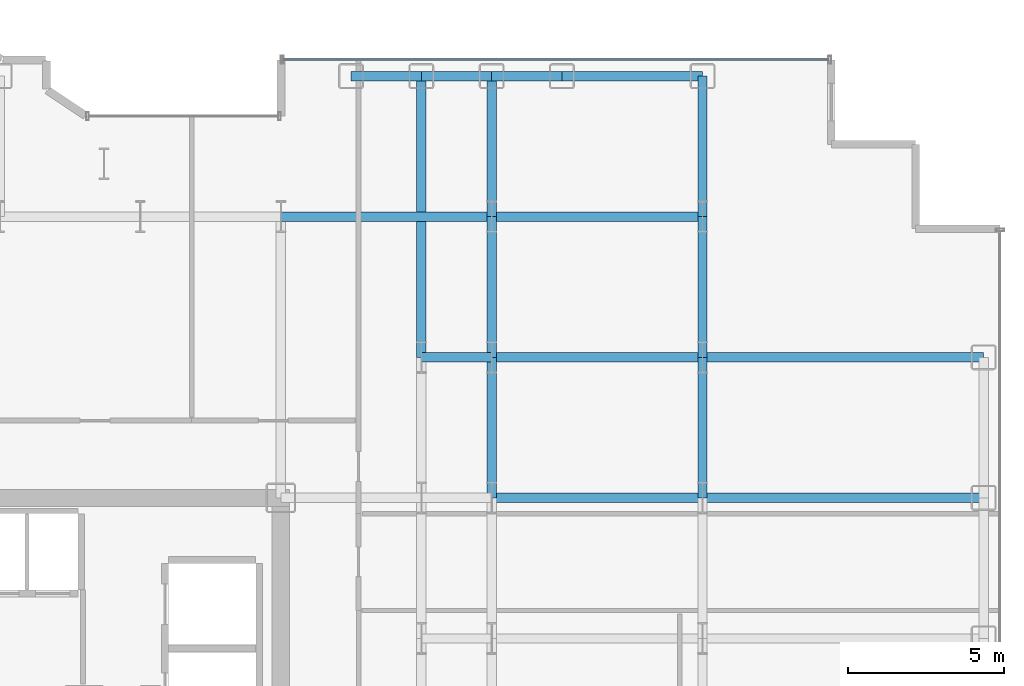
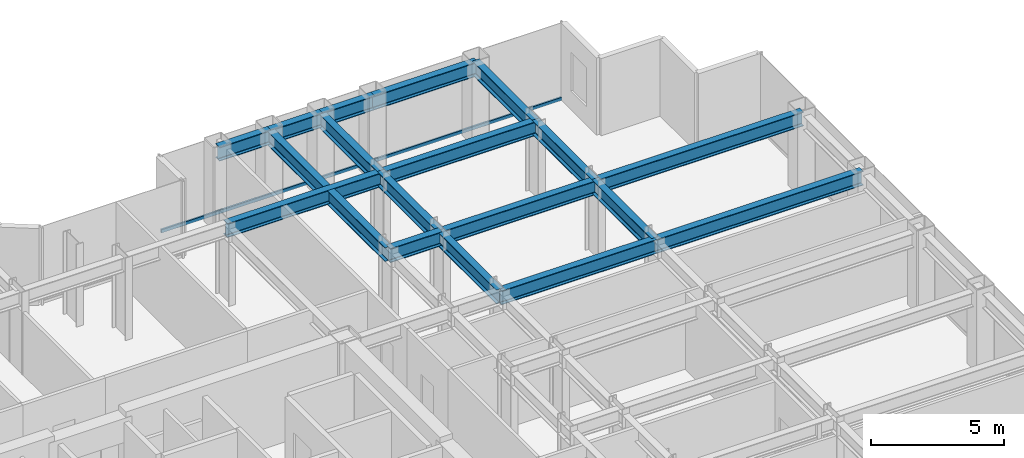
# One storey, part 13 of 26: 18 beams, 1 member, 1 element without a shape of its own.
"""IFC4 building model written with IfcOpenShell, lengths in metres."""

from ifc_helpers import new_model, si_unit, direction, frame, origin, origin_2d, place, context, subcontext, project, spatial, hollow_rectangle, i_section, extrude, source, transform, mapped, material, layer, layer_set, material_profile, profile_set, type_object, element, aggregate, save


model = new_model("IFC4")

# Units and contexts
model_context = context("Model", 3, precision=1e-05, world=origin(), true_north=direction((0.0, 1.0)))
body_context = subcontext(model_context, "Body", "Model", "MODEL_VIEW")
ifc_project = project(units=[si_unit("LENGTHUNIT", "METRE"), si_unit("AREAUNIT", "SQUARE_METRE"), si_unit("VOLUMEUNIT", "CUBIC_METRE"), si_unit("PLANEANGLEUNIT", "RADIAN"), si_unit("MASSUNIT", "GRAM", prefix="KILO")], contexts=[model_context])

# Site, building, storey
site_placement = place(None, origin())
site = spatial("IfcSite", under=ifc_project, at=site_placement, CompositionType="ELEMENT")
building_placement = place(site_placement, origin())
building = spatial("IfcBuilding", under=site, at=building_placement, Name="Nefas-Gora Pilgrimage Tower", CompositionType="ELEMENT")
storey_placement = place(building_placement, frame((0.0, 0.0, 128.800048828125)))
storey = spatial("IfcBuildingStorey", under=building, at=storey_placement, Name="L31", CompositionType="ELEMENT", Elevation=128.800048828125)

# Beams
ifc_material_1 = material(Name="Steel S355", Category="steel")
ifc_material_profile_1 = material_profile(ifc_material_1, i_section(OverallWidth=0.300048828125, OverallDepth=0.64990234375, WebThickness=0.01611328125, FlangeThickness=0.031005859375, FilletRadius=0.027099609375, at=origin_2d()), Name="HEB 650")
ifc_profile_set_1 = profile_set([ifc_material_profile_1], Name="Steel S355")
beam_type_1 = type_object("IfcBeamType", Name="BM-SPN-HEB500", PredefinedType="SPANDREL", material=ifc_profile_set_1)
shared_shape_1 = source(origin(), body_context, "Body", "SweptSolid", [
    extrude(i_section(OverallWidth=0.300048828125, OverallDepth=0.64990234375, WebThickness=0.01611328125, FlangeThickness=0.031005859375, FilletRadius=0.027099609375, at=origin_2d()), origin(), (0.0, 0.0, 1.0), 4.5),
])
beam_1_placement = place(storey_placement, frame((20.25, 22.5, 3.224853515625), z_axis=(1.0, 0.0, 0.0), x_axis=(0.0, 1.0, 0.0)))
element("IfcBeam", 1, at=beam_1_placement, inside=storey, type_object=beam_type_1, Name="L31 SP-02 beam", PredefinedType="SPANDREL", context=body_context, shape_type="MappedRepresentation", body=[
    mapped(shared_shape_1, transform((0.0, 0.0, 0.0), x_axis=(1.0, 0.0, 0.0), y_axis=(0.0, 1.0, 0.0), z_axis=(0.0, 0.0, 1.0), scale=1.0)),
])
ifc_material_profile_2 = material_profile(ifc_material_1, i_section(OverallWidth=0.300048828125, OverallDepth=0.64990234375, WebThickness=0.01611328125, FlangeThickness=0.031005859375, FilletRadius=0.027099609375, at=origin_2d()), Name="HEB 650")
ifc_profile_set_2 = profile_set([ifc_material_profile_2], Name="Steel S355")
beam_type_2 = type_object("IfcBeamType", Name="BM-GIR-HEB650", PredefinedType="BEAM", material=ifc_profile_set_2)
shared_shape_2 = source(origin(), body_context, "Body", "SweptSolid", [
    extrude(i_section(OverallWidth=0.300048828125, OverallDepth=0.64990234375, WebThickness=0.01611328125, FlangeThickness=0.031005859375, FilletRadius=0.027099609375, at=origin_2d()), origin(), (0.0, 0.0, 1.0), 9.0),
])
for number, where, z_axis, x_axis, name in (
    (2, (15.75, 13.5, 3.224853515625), (0.0, 1.0, 0.0), (-1.0, 0.0, 0.0), "L31 G-03 beam"),
    (3, (24.75, 9.0, 3.224853515625), (1.0, 0.0, 0.0), (0.0, 1.0, 0.0), "L31 G-03 beam"),
    (4, (24.75, 13.5, 3.224853515625), (1.0, 0.0, 0.0), (0.0, 1.0, 0.0), "L31 G-03 beam"),
):
    element("IfcBeam", number, at=place(storey_placement, frame(where, z_axis=z_axis, x_axis=x_axis)), inside=storey, type_object=beam_type_2, Name=name, PredefinedType="BEAM", context=body_context, shape_type="MappedRepresentation", body=[
        mapped(shared_shape_2, transform((0.0, 0.0, 0.0), x_axis=(1.0, 0.0, 0.0), y_axis=(0.0, 1.0, 0.0), z_axis=(0.0, 0.0, 1.0), scale=1.0)),
    ])
shared_shape_3 = source(origin(), body_context, "Body", "SweptSolid", [
    extrude(i_section(OverallWidth=0.300048828125, OverallDepth=0.64990234375, WebThickness=0.01611328125, FlangeThickness=0.031005859375, FilletRadius=0.027099609375, at=origin_2d()), origin(), (0.0, 0.0, 1.0), 4.5),
])
for number, where, z_axis, x_axis, name in (
    (5, (18.0, 9.0, 3.224853515625), (0.0, 1.0, 0.0), (-1.0, 0.0, 0.0), "L31 G-03 beam"),
    (6, (18.0, 13.5, 3.224853515625), (0.0, 1.0, 0.0), (-1.0, 0.0, 0.0), "L31 G-03 beam"),
    (7, (18.0, 18.0, 3.224853515625), (0.0, 1.0, 0.0), (-1.0, 0.0, 0.0), "L31 G-03 beam"),
    (8, (24.75, 9.0, 3.224853515625), (0.0, 1.0, 0.0), (-1.0, 0.0, 0.0), "L31 G-03 beam"),
    (9, (24.75, 13.5, 3.224853515625), (0.0, 1.0, 0.0), (-1.0, 0.0, 0.0), "L31 G-03 beam"),
    (10, (24.75, 18.0, 3.224853515625), (0.0, 1.0, 0.0), (-1.0, 0.0, 0.0), "L31 G-03 beam"),
):
    element("IfcBeam", number, at=place(storey_placement, frame(where, z_axis=z_axis, x_axis=x_axis)), inside=storey, type_object=beam_type_2, Name=name, PredefinedType="BEAM", context=body_context, shape_type="MappedRepresentation", body=[
        mapped(shared_shape_3, transform((0.0, 0.0, 0.0), x_axis=(1.0, 0.0, 0.0), y_axis=(0.0, 1.0, 0.0), z_axis=(0.0, 0.0, 1.0), scale=1.0)),
    ])
shared_shape_4 = source(origin(), body_context, "Body", "SweptSolid", [
    extrude(i_section(OverallWidth=0.300048828125, OverallDepth=0.64990234375, WebThickness=0.01611328125, FlangeThickness=0.031005859375, FilletRadius=0.027099609375, at=origin_2d()), origin(), (0.0, 0.0, 1.0), 6.75),
])
for number, where, z_axis, x_axis, name in (
    (11, (11.25, 18.0, 3.224853515625), (1.0, 0.0, 0.0), (0.0, 1.0, 0.0), "L31 G-03 beam"),
    (12, (18.0, 9.0, 3.224853515625), (1.0, 0.0, 0.0), (0.0, 1.0, 0.0), "L31 G-03 beam"),
    (13, (18.0, 13.5, 3.224853515625), (1.0, 0.0, 0.0), (0.0, 1.0, 0.0), "L31 G-03 beam"),
    (14, (18.0, 18.0, 3.224853515625), (1.0, 0.0, 0.0), (0.0, 1.0, 0.0), "L31 G-03 beam"),
):
    element("IfcBeam", number, at=place(storey_placement, frame(where, z_axis=z_axis, x_axis=x_axis)), inside=storey, type_object=beam_type_2, Name=name, PredefinedType="BEAM", context=body_context, shape_type="MappedRepresentation", body=[
        mapped(shared_shape_4, transform((0.0, 0.0, 0.0), x_axis=(1.0, 0.0, 0.0), y_axis=(0.0, 1.0, 0.0), z_axis=(0.0, 0.0, 1.0), scale=1.0)),
    ])
shared_shape_5 = source(origin(), body_context, "Body", "SweptSolid", [
    extrude(i_section(OverallWidth=0.300048828125, OverallDepth=0.64990234375, WebThickness=0.01611328125, FlangeThickness=0.031005859375, FilletRadius=0.027099609375, at=origin_2d()), origin(), (0.0, 0.0, 1.0), 2.25),
])
for number, where, z_axis, x_axis, name in (
    (15, (13.5, 22.5, 3.224853515625), (1.0, 0.0, 0.0), (0.0, 1.0, 0.0), "L31 SP-02 beam"),
    (16, (15.75, 22.5, 3.224853515625), (1.0, 0.0, 0.0), (0.0, 1.0, 0.0), "L31 SP-02 beam"),
    (17, (18.0, 22.5, 3.224853515625), (1.0, 0.0, 0.0), (0.0, 1.0, 0.0), "L31 SP-02 beam"),
):
    element("IfcBeam", number, at=place(storey_placement, frame(where, z_axis=z_axis, x_axis=x_axis)), inside=storey, type_object=beam_type_1, Name=name, PredefinedType="SPANDREL", context=body_context, shape_type="MappedRepresentation", body=[
        mapped(shared_shape_5, transform((0.0, 0.0, 0.0), x_axis=(1.0, 0.0, 0.0), y_axis=(0.0, 1.0, 0.0), z_axis=(0.0, 0.0, 1.0), scale=1.0)),
    ])
shared_shape_6 = source(origin(), body_context, "Body", "SweptSolid", [
    extrude(i_section(OverallWidth=0.300048828125, OverallDepth=0.64990234375, WebThickness=0.01611328125, FlangeThickness=0.031005859375, FilletRadius=0.027099609375, at=origin_2d()), origin(), (0.0, 0.0, 1.0), 2.25),
])
beam_2_placement = place(storey_placement, frame((15.75, 13.5, 3.224853515625), z_axis=(1.0, 0.0, 0.0), x_axis=(0.0, 1.0, 0.0)))
element("IfcBeam", 18, at=beam_2_placement, inside=storey, type_object=beam_type_2, Name="L31 G-03 beam", PredefinedType="BEAM", context=body_context, shape_type="MappedRepresentation", body=[
    mapped(shared_shape_6, transform((0.0, 0.0, 0.0), x_axis=(1.0, 0.0, 0.0), y_axis=(0.0, 1.0, 0.0), z_axis=(0.0, 0.0, 1.0), scale=1.0)),
])

# Curtain wall, member
ifc_material_2 = material(Name="Dark ceramic-fritted solar-control aluminium-glass curtain wall", Category="aluminium")
ifc_layer = layer(ifc_material_2, 0.219970703125)
ifc_layer_set = layer_set([ifc_layer], Name="Dark ceramic-fritted solar-control aluminium-glass curtain wall")
curtain_wall_type = type_object("IfcCurtainWallType", Name="CW-SYS-2", PredefinedType="NOTDEFINED", material=ifc_layer_set)
curtain_wall_placement = place(storey_placement, origin())
curtain_wall = element("IfcCurtainWall", 19, at=curtain_wall_placement, inside=storey, type_object=curtain_wall_type, Name="L31 Unitised Curtain Wall CW2", PredefinedType="NOTDEFINED")
ifc_material_3 = material(Name="Anodised architectural aluminium", Category="aluminium")
ifc_material_profile_3 = material_profile(ifc_material_3, hollow_rectangle(XDim=0.080078125, YDim=0.159912109375, WallThickness=0.00439453125, InnerFilletRadius=0.00439453125, OuterFilletRadius=0.009033203125, at=origin_2d()), Name="ALU TRANSOM 80x160")
ifc_profile_set_3 = profile_set([ifc_material_profile_3], Name="Anodised architectural aluminium")
member_type = type_object("IfcMemberType", Name="CWM-TRN-2", PredefinedType="USERDEFINED", material=ifc_profile_set_3)
shared_shape_7 = source(origin(), body_context, "Body", "SweptSolid", [
    extrude(hollow_rectangle(XDim=0.080078125, YDim=0.159912109375, WallThickness=0.00439453125, InnerFilletRadius=0.00439453125, OuterFilletRadius=0.009033203125, at=origin_2d()), origin(), (0.0, 0.0, 1.0), 17.43994140625),
])
member_placement = place(storey_placement, frame((28.780029296875, 23.02001953125, 0.050048828125), z_axis=(-1.0, 0.0, 0.0), x_axis=(0.0, -1.0, 0.0)))
member = element("IfcMember", 20, at=member_placement, type_object=member_type, Name="CW2 Spandrel Transom", ObjectType="TRANSOM", PredefinedType="USERDEFINED", context=body_context, shape_type="MappedRepresentation", body=[
    mapped(shared_shape_7, transform((0.0, 0.0, 0.0), x_axis=(1.0, 0.0, 0.0), y_axis=(0.0, 1.0, 0.0), z_axis=(0.0, 0.0, 1.0), scale=1.0)),
])
aggregate(curtain_wall, [member])

save(model, "model.ifc")
